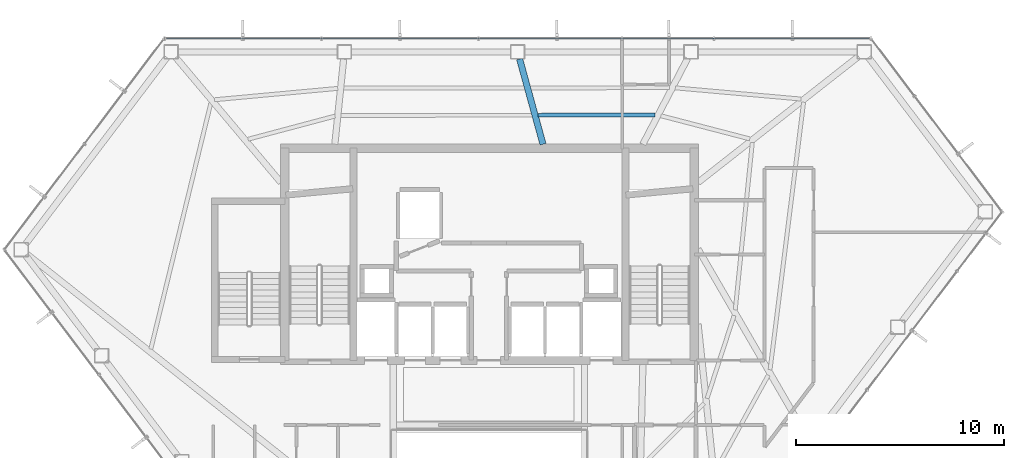
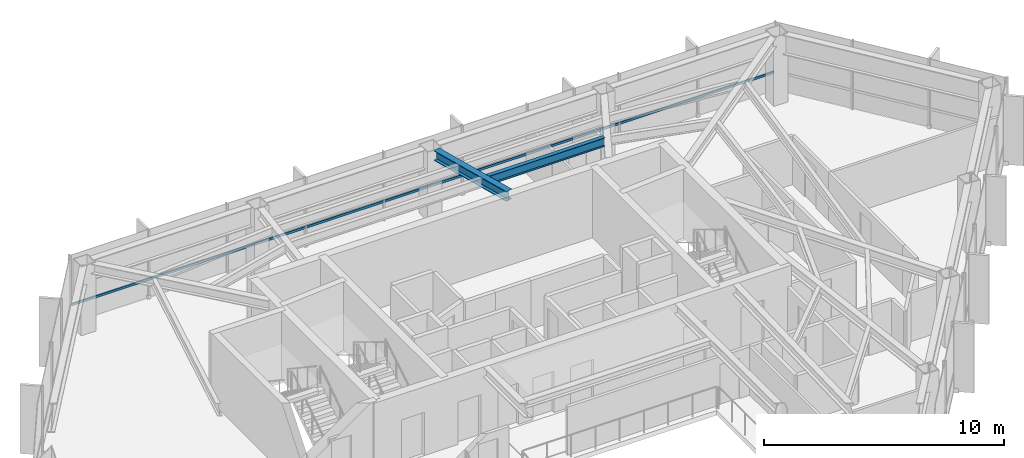
# One storey, part 14 of 27: 2 beams, 1 member, 1 element without a shape of its own.
"""IFC4 building model written with IfcOpenShell, lengths in metres."""

from ifc_helpers import new_model, si_unit, direction, frame, origin, origin_2d, place, context, subcontext, project, spatial, hollow_rectangle, i_section, extrude, material, layer, layer_set, material_profile, profile_set, type_object, element, aggregate, save


model = new_model("IFC4")

# Units and contexts
model_context = context("Model", 3, precision=1e-05, world=origin(), true_north=direction((0.0, 1.0)))
body_context = subcontext(model_context, "Body", "Model", "MODEL_VIEW")
ifc_project = project(units=[si_unit("LENGTHUNIT", "METRE"), si_unit("AREAUNIT", "SQUARE_METRE"), si_unit("VOLUMEUNIT", "CUBIC_METRE"), si_unit("PLANEANGLEUNIT", "RADIAN"), si_unit("MASSUNIT", "GRAM", prefix="KILO")], contexts=[model_context])

# Site, building, storey
site_placement = place(None, origin())
site = spatial("IfcSite", under=ifc_project, at=site_placement, CompositionType="ELEMENT")
building_placement = place(site_placement, origin())
building = spatial("IfcBuilding", under=site, at=building_placement, Name="Zarrinselat Tower", CompositionType="ELEMENT")
storey_placement = place(building_placement, frame((0.0, 0.0, 179.52001953125)))
storey = spatial("IfcBuildingStorey", under=building, at=storey_placement, Name="L44", CompositionType="ELEMENT", Elevation=179.52001953125)

# Beams
ifc_material_1 = material(Name="Steel S355J2", Category="steel")
ifc_material_profile_1 = material_profile(ifc_material_1, i_section(OverallWidth=0.300048828125, OverallDepth=0.5, WebThickness=0.014404296875, FlangeThickness=0.028076171875, at=origin_2d()), Name="HEB 500")
ifc_profile_set_1 = profile_set([ifc_material_profile_1], Name="Steel S355J2")
beam_type_1 = type_object("IfcBeamType", Name="BM-HEB500", PredefinedType="BEAM", material=ifc_profile_set_1)
beam_1_placement = place(storey_placement, frame((39.87744140625, 47.732666015625, 3.25), z_axis=(0.264509285991, -0.964383138397, 0.0), x_axis=(0.964383138397, 0.264509285991, 0.0)))
element("IfcBeam", 1, at=beam_1_placement, inside=storey, type_object=beam_type_1, Name="L44 Radial Primary Girder RG03", PredefinedType="BEAM", context=body_context, shape_type="SweptSolid", body=[
    extrude(i_section(OverallWidth=0.300048828125, OverallDepth=0.5, WebThickness=0.014404296875, FlangeThickness=0.028076171875, at=origin_2d()), origin(), (0.0, 0.0, 1.0), 4.243896484375),
])
ifc_material_2 = material(Name="Steel S355J2", Category="steel")
ifc_material_profile_2 = material_profile(ifc_material_2, i_section(OverallWidth=0.18994140625, OverallDepth=0.449951171875, WebThickness=0.009521484375, FlangeThickness=0.0146484375, at=origin_2d()), Name="IPE 450")
ifc_profile_set_2 = profile_set([ifc_material_profile_2], Name="Steel S355J2")
beam_type_2 = type_object("IfcBeamType", Name="BM-IPE450", PredefinedType="JOIST", material=ifc_profile_set_2)
beam_2_placement = place(storey_placement, frame((40.75830078125, 45.03173828125, 3.27490234375), z_axis=(0.999998782261, 0.001560601533, 0.0), x_axis=(-0.001560601533, 0.999998782261, 0.0)))
element("IfcBeam", 2, at=beam_2_placement, inside=storey, type_object=beam_type_2, Name="L44 Composite Floor Joist 7-2", PredefinedType="JOIST", context=body_context, shape_type="SweptSolid", body=[
    extrude(i_section(OverallWidth=0.18994140625, OverallDepth=0.449951171875, WebThickness=0.009521484375, FlangeThickness=0.0146484375, at=origin_2d()), origin(), (0.0, 0.0, 1.0), 5.6318359375),
])

# Curtain wall, member
ifc_material_3 = material(Name="Extruded Aluminium Alloy EN AW-6063 T6", Category="aluminium")
ifc_layer = layer(ifc_material_3, 0.175048828125)
ifc_layer_set = layer_set([ifc_layer], Name="Extruded Aluminium Alloy EN AW-6063 T6")
curtain_wall_type = type_object("IfcCurtainWallType", Name="CWS-HTL", PredefinedType="NOTDEFINED", material=ifc_layer_set)
curtain_wall_placement = place(storey_placement, origin())
curtain_wall = element("IfcCurtainWall", 3, at=curtain_wall_placement, inside=storey, type_object=curtain_wall_type, Name="L44 Unitised Curtain Wall CW-L44-E01", PredefinedType="NOTDEFINED")
ifc_material_4 = material(Name="Extruded Aluminium Alloy EN AW-6063 T6", Category="aluminium")
ifc_material_profile_3 = material_profile(ifc_material_4, hollow_rectangle(XDim=0.06005859375, YDim=0.1201171875, WallThickness=0.00390625, at=origin_2d()), Name="RHS 120x60x4")
ifc_profile_set_3 = profile_set([ifc_material_profile_3], Name="Extruded Aluminium Alloy EN AW-6063 T6")
member_type = type_object("IfcMemberType", Name="MEM-CW-TRN2", PredefinedType="USERDEFINED", material=ifc_profile_set_3)
member_placement = place(storey_placement, frame((56.668701171875, 48.72216796875, 0.949951171875), z_axis=(-1.0, 0.0, 0.0), x_axis=(0.0, -1.0, 0.0)))
member = element("IfcMember", 4, at=member_placement, type_object=member_type, Name="CW-L44-E01 Transom 1", ObjectType="TRANSOM", PredefinedType="USERDEFINED", context=body_context, shape_type="SweptSolid", body=[
    extrude(hollow_rectangle(XDim=0.06005859375, YDim=0.1201171875, WallThickness=0.00390625, at=origin_2d()), origin(), (0.0, 0.0, 1.0), 33.768798828125),
])
aggregate(curtain_wall, [member])

save(model, "model.ifc")
